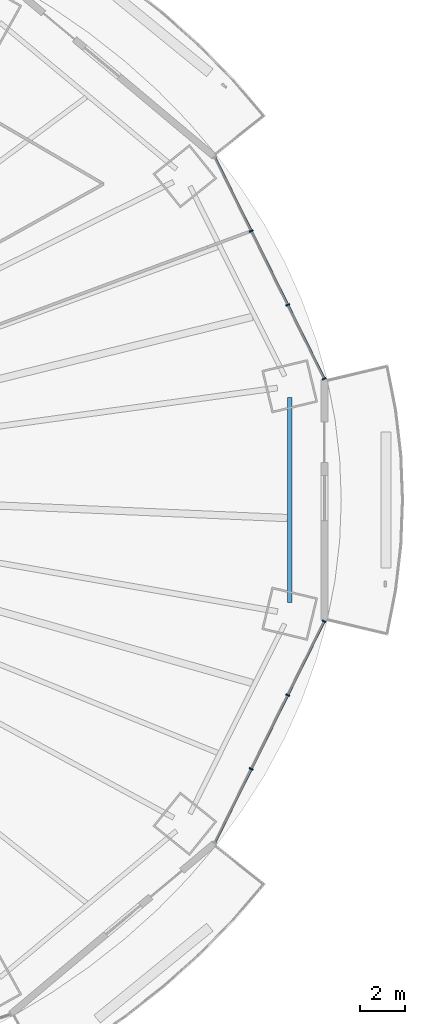
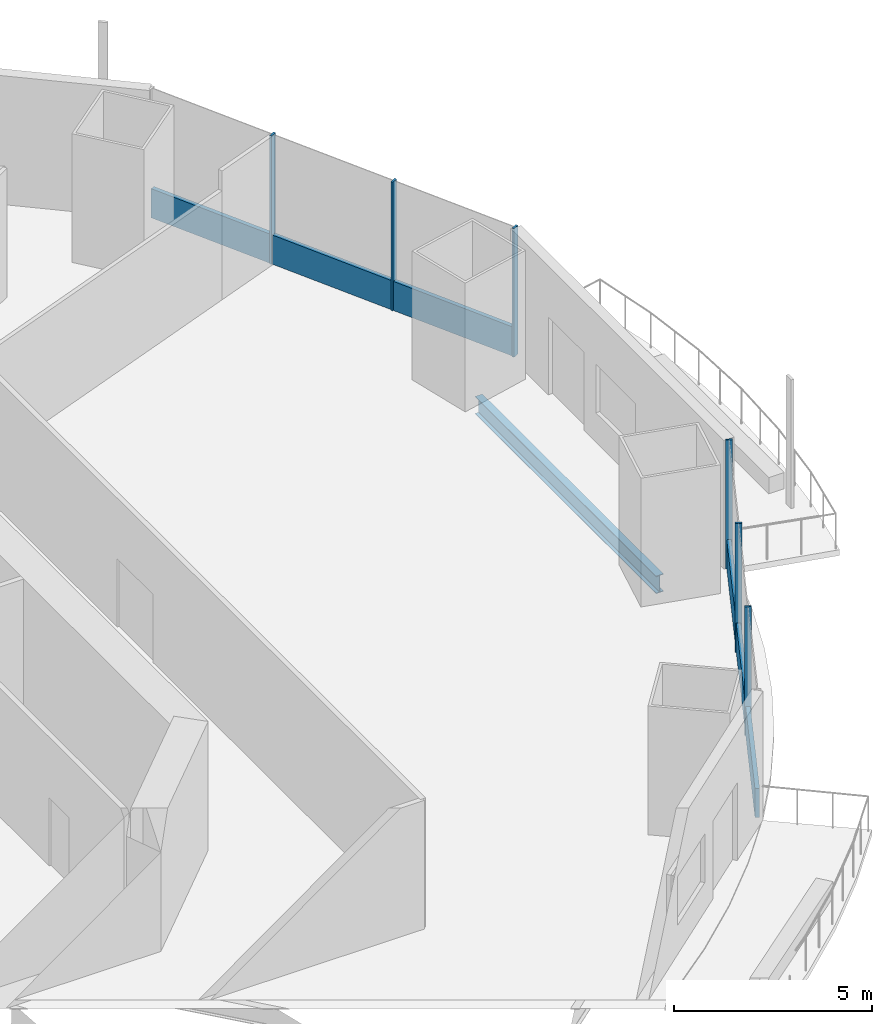
# One storey, part 10 of 21: 8 members, 1 beam, 2 elements without a shape of their own.
"""IFC4 building model written with IfcOpenShell, lengths in metres."""

from ifc_helpers import new_model, si_unit, direction, frame, origin, origin_2d, place, context, subcontext, project, spatial, rectangle, i_section, extrude, material, material_profile, profile_set, type_object, element, aggregate, save


model = new_model("IFC4")

# Units and contexts
model_context = context("Model", 3, precision=1e-05, world=origin(), true_north=direction((0.0, 1.0)))
body_context = subcontext(model_context, "Body", "Model", "MODEL_VIEW")
ifc_project = project(units=[si_unit("LENGTHUNIT", "METRE"), si_unit("AREAUNIT", "SQUARE_METRE"), si_unit("VOLUMEUNIT", "CUBIC_METRE"), si_unit("PLANEANGLEUNIT", "RADIAN"), si_unit("MASSUNIT", "GRAM", prefix="KILO")], contexts=[model_context])

# Site, building, storey
site_placement = place(None, origin())
site = spatial("IfcSite", under=ifc_project, at=site_placement, CompositionType="ELEMENT")
building_placement = place(site_placement, origin())
building = spatial("IfcBuilding", under=site, at=building_placement, Name="Marenthal Gate Tower", CompositionType="ELEMENT")
storey_placement = place(building_placement, frame((0.0, 0.0, 169.35009765625)))
storey = spatial("IfcBuildingStorey", under=building, at=storey_placement, Name="L36", CompositionType="ELEMENT", Elevation=169.35009765625)

# Curtain wall, members
ifc_material_1 = material(Name="Aluminium and glass", Category="aluminium")
curtain_wall_type = type_object("IfcCurtainWallType", Name="Curtain wall typical mid", PredefinedType="NOTDEFINED", material=ifc_material_1)
curtain_wall_1_placement = place(storey_placement, origin())
curtain_wall_1 = element("IfcCurtainWall", 1, at=curtain_wall_1_placement, inside=storey, type_object=curtain_wall_type, Name="Curtain wall L36 bay 1", PredefinedType="NOTDEFINED")
ifc_material_2 = material(Name="Aluminium", Category="aluminium")
ifc_material_profile_1 = material_profile(ifc_material_2, rectangle(XDim=0.179931640625, YDim=0.06005859375, at=origin_2d()), Name="60x180 aluminium mullion")
ifc_profile_set_1 = profile_set([ifc_material_profile_1], Name="Aluminium")
member_type_1 = type_object("IfcMemberType", Name="Mullion 60x180 typical mid", PredefinedType="MULLION", material=ifc_profile_set_1)
member_1_placement = place(storey_placement, frame((34.0537109375, 4.809814453125, 0.0), z_axis=(0.0, 0.0, 1.0), x_axis=(-0.896608747182, -0.442823615536, 0.0)))
member_1 = element("IfcMember", 2, at=member_1_placement, type_object=member_type_1, Name="Mullion L36 bay 1.1", PredefinedType="MULLION", context=body_context, shape_type="SweptSolid", body=[
    extrude(rectangle(XDim=0.179931640625, YDim=0.06005859375, at=origin_2d()), origin(), (0.0, 0.0, 1.0), 3.969970703125),
])
member_2_placement = place(storey_placement, frame((32.425048828125, 8.107421875, 0.0), z_axis=(0.0, 0.0, 1.0), x_axis=(-0.896608747182, -0.442823615536, 0.0)))
member_2 = element("IfcMember", 3, at=member_2_placement, type_object=member_type_1, Name="Mullion L36 bay 1.2", PredefinedType="MULLION", context=body_context, shape_type="SweptSolid", body=[
    extrude(rectangle(XDim=0.179931640625, YDim=0.06005859375, at=origin_2d()), origin(), (0.0, 0.0, 1.0), 3.969970703125),
])
member_3_placement = place(storey_placement, frame((30.79638671875, 11.40478515625, 0.0), z_axis=(0.0, 0.0, 1.0), x_axis=(-0.896608747182, -0.442823615536, 0.0)))
member_3 = element("IfcMember", 4, at=member_3_placement, type_object=member_type_1, Name="Mullion L36 bay 1.3", PredefinedType="MULLION", context=body_context, shape_type="SweptSolid", body=[
    extrude(rectangle(XDim=0.179931640625, YDim=0.06005859375, at=origin_2d()), origin(), (0.0, 0.0, 1.0), 3.969970703125),
])

curtain_wall_2_placement = place(storey_placement, origin())
curtain_wall_2 = element("IfcCurtainWall", 5, at=curtain_wall_2_placement, inside=storey, type_object=curtain_wall_type, Name="Curtain wall L36 bay 15", PredefinedType="NOTDEFINED")
member_4_placement = place(storey_placement, frame((30.79638671875, -12.604736328125, 0.0), z_axis=(0.0, 0.0, 1.0), x_axis=(-0.896608747182, 0.442823615536, 0.0)))
member_4 = element("IfcMember", 6, at=member_4_placement, type_object=member_type_1, Name="Mullion L36 bay 15.2", PredefinedType="MULLION", context=body_context, shape_type="SweptSolid", body=[
    extrude(rectangle(XDim=0.179931640625, YDim=0.06005859375, at=origin_2d()), origin(), (0.0, 0.0, 1.0), 3.969970703125),
])
member_5_placement = place(storey_placement, frame((32.425048828125, -9.307373046875, 0.0), z_axis=(0.0, 0.0, 1.0), x_axis=(-0.896608747182, 0.442823615536, 0.0)))
member_5 = element("IfcMember", 7, at=member_5_placement, type_object=member_type_1, Name="Mullion L36 bay 15.3", PredefinedType="MULLION", context=body_context, shape_type="SweptSolid", body=[
    extrude(rectangle(XDim=0.179931640625, YDim=0.06005859375, at=origin_2d()), origin(), (0.0, 0.0, 1.0), 3.969970703125),
])
member_6_placement = place(storey_placement, frame((34.0537109375, -6.009765625, 0.0), z_axis=(0.0, 0.0, 1.0), x_axis=(-0.896608747182, 0.442823615536, 0.0)))
member_6 = element("IfcMember", 8, at=member_6_placement, type_object=member_type_1, Name="Mullion L36 bay 15.4", PredefinedType="MULLION", context=body_context, shape_type="SweptSolid", body=[
    extrude(rectangle(XDim=0.179931640625, YDim=0.06005859375, at=origin_2d()), origin(), (0.0, 0.0, 1.0), 3.969970703125),
])

# Member
ifc_material_3 = material(Name="Aluminium", Category="aluminium")
ifc_material_profile_2 = material_profile(ifc_material_3, rectangle(XDim=0.1201171875, YDim=0.89990234375, at=origin_2d()), Name="120x900 aluminium transom")
ifc_profile_set_2 = profile_set([ifc_material_profile_2], Name="Aluminium")
member_type_2 = type_object("IfcMemberType", Name="Transom 120x900 typical mid", PredefinedType="USERDEFINED", material=ifc_profile_set_2)
member_7_placement = place(storey_placement, frame((34.040283203125, 4.836669921875, 0.449951171875), z_axis=(-0.442811889728, 0.896614538314, 0.0), x_axis=(-0.896614538314, -0.442811889728, 0.0)))
member_7 = element("IfcMember", 9, at=member_7_placement, type_object=member_type_2, Name="Transom L36 bay 1", ObjectType="TRANSOM", PredefinedType="USERDEFINED", context=body_context, shape_type="SweptSolid", body=[
    extrude(rectangle(XDim=0.1201171875, YDim=0.89990234375, at=origin_2d()), origin(), (0.0, 0.0, 1.0), 10.973388671875),
])

aggregate(curtain_wall_1, [member_1, member_2, member_3, member_7])

member_8_placement = place(storey_placement, frame((29.18115234375, -15.87548828125, 0.449951171875), z_axis=(0.442811889728, 0.896614538314, 0.0), x_axis=(-0.896614538314, 0.442811889728, 0.0)))
member_8 = element("IfcMember", 10, at=member_8_placement, type_object=member_type_2, Name="Transom L36 bay 15", ObjectType="TRANSOM", PredefinedType="USERDEFINED", context=body_context, shape_type="SweptSolid", body=[
    extrude(rectangle(XDim=0.1201171875, YDim=0.89990234375, at=origin_2d()), origin(), (0.0, 0.0, 1.0), 10.973388671875),
])

aggregate(curtain_wall_2, [member_4, member_5, member_6, member_8])

# Beam
ifc_material_4 = material(Name="Steel S355", Category="steel")
ifc_material_profile_3 = material_profile(ifc_material_4, i_section(OverallWidth=0.2119140625, OverallDepth=0.5439453125, WebThickness=0.01318359375, FlangeThickness=0.021240234375, FilletRadius=0.0126953125, at=origin_2d()), Name="W530X123")
ifc_profile_set_3 = profile_set([ifc_material_profile_3], Name="Steel S355")
beam_type = type_object("IfcBeamType", Name="W530X123 beam", PredefinedType="BEAM", material=ifc_profile_set_3)
beam_placement = place(storey_placement, frame((32.51708984375, -5.172119140625, -0.4521484375), z_axis=(0.0, 1.0, 0.0), x_axis=(-1.0, 0.0, 0.0)))
element("IfcBeam", 11, at=beam_placement, inside=storey, type_object=beam_type, Name="BM-L36-56", PredefinedType="BEAM", context=body_context, shape_type="SweptSolid", body=[
    extrude(i_section(OverallWidth=0.2119140625, OverallDepth=0.5439453125, WebThickness=0.01318359375, FlangeThickness=0.021240234375, FilletRadius=0.0126953125, at=origin_2d()), origin(), (0.0, 0.0, 1.0), 9.144287109375),
])

save(model, "model.ifc")
